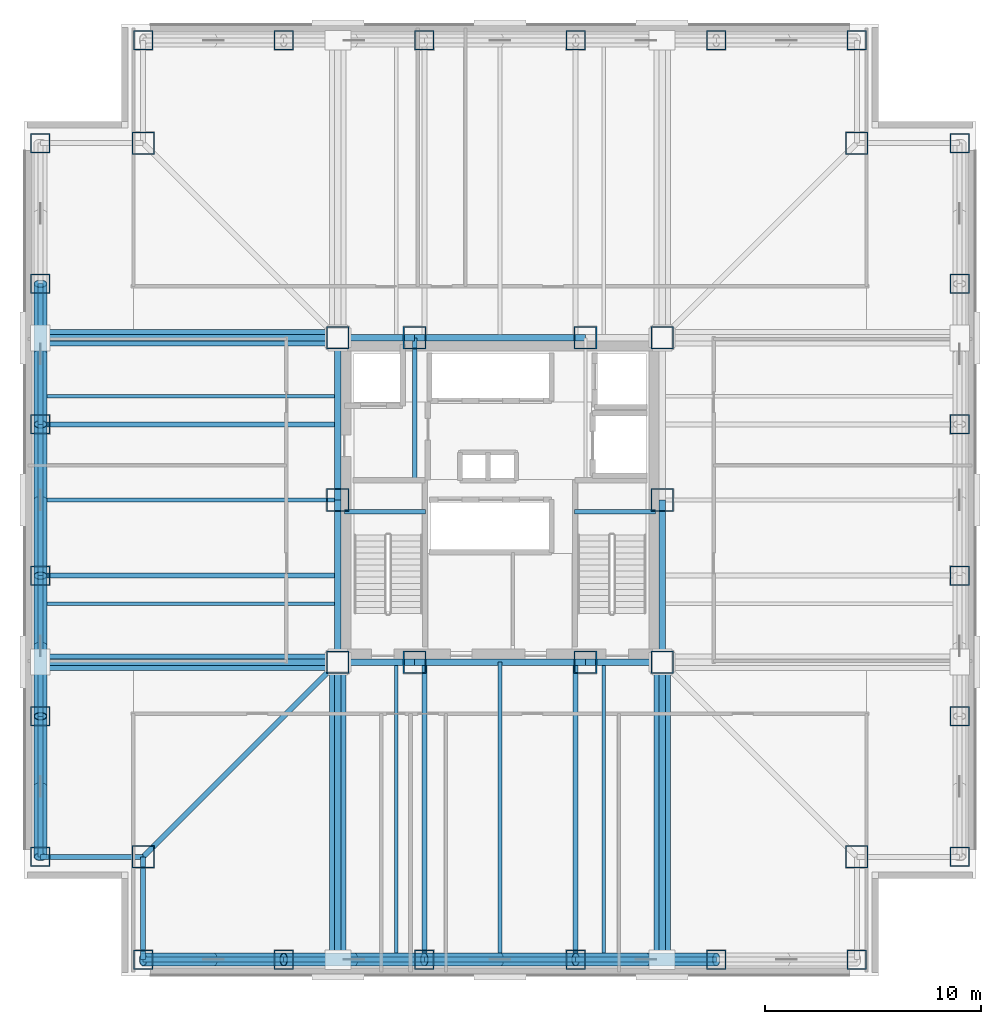
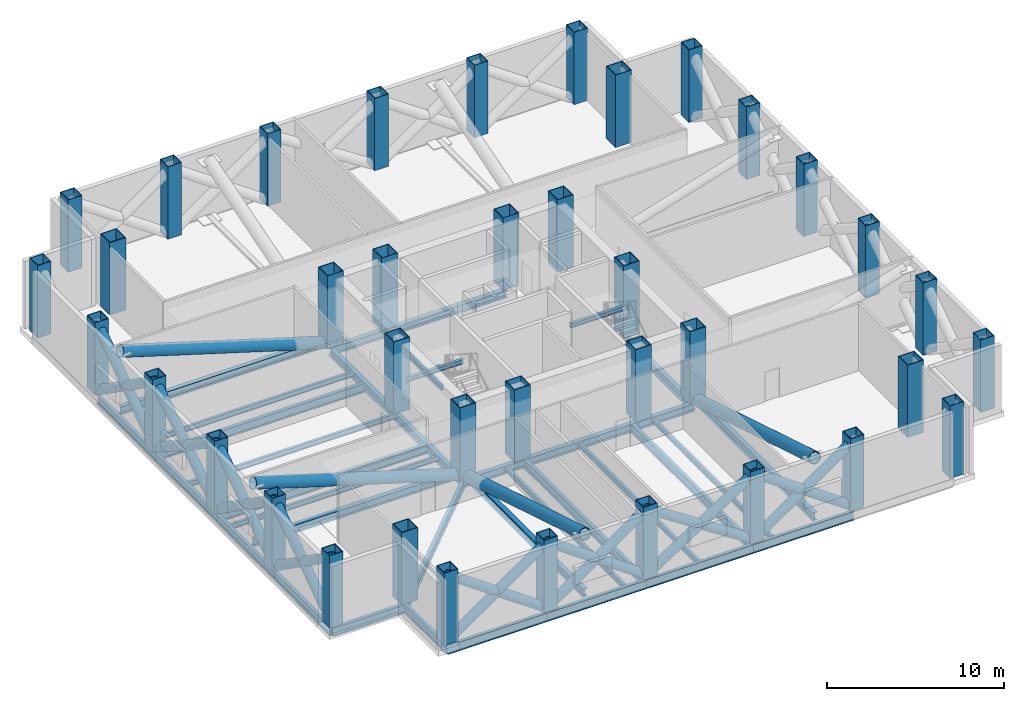
# One storey, part 1 of 8: 38 columns, 32 beams, 32 members.
"""IFC4 building model written with IfcOpenShell, lengths in metres."""

from ifc_helpers import new_model, si_unit, direction, frame, origin, origin_2d, place, context, subcontext, project, spatial, hollow_rectangle, hollow_circle, i_section, extrude, material, material_profile, profile_set, type_object, element, save


model = new_model("IFC4")

# Units and contexts
model_context = context("Model", 3, precision=1e-05, world=origin(), true_north=direction((0.0, 1.0)))
body_context = subcontext(model_context, "Body", "Model", "MODEL_VIEW")
ifc_project = project(units=[si_unit("LENGTHUNIT", "METRE"), si_unit("AREAUNIT", "SQUARE_METRE"), si_unit("VOLUMEUNIT", "CUBIC_METRE"), si_unit("PLANEANGLEUNIT", "RADIAN"), si_unit("MASSUNIT", "GRAM", prefix="KILO")], contexts=[model_context])

# Site, building, storey
site_placement = place(None, origin())
site = spatial("IfcSite", under=ifc_project, at=site_placement, CompositionType="ELEMENT")
building_placement = place(site_placement, origin())
building = spatial("IfcBuilding", under=site, at=building_placement, Name="Trevonay Congress Spire", CompositionType="ELEMENT")
storey_placement = place(building_placement, frame((0.0, 0.0, 155.199951171875)))
storey = spatial("IfcBuildingStorey", under=building, at=storey_placement, Name="L40", CompositionType="ELEMENT", Elevation=155.199951171875)

# Columns
ifc_material = material(Name="Steel ASTM A572 Grade 50", Category="steel")
ifc_material_profile_1 = material_profile(ifc_material, hollow_rectangle(XDim=1.050048828125, YDim=1.050048828125, WallThickness=0.050048828125, at=origin_2d()), Name="BOX 1050x1050x50")
ifc_profile_set_1 = profile_set([ifc_material_profile_1], Name="Steel ASTM A572 Grade 50")
column_type_1 = type_object("IfcColumnType", Name="COL-CORE-BOX1050", PredefinedType="COLUMN", material=ifc_profile_set_1)
for number, where, z_axis, x_axis, name in (
    (1, (-7.5, -7.5, 0.0), (0.0, 0.0, 1.0), (1.0, 0.0, 0.0), "L40 column C03 at CC-SW"),
    (2, (-3.949951171875, -7.5, 0.0), (0.0, 0.0, 1.0), (1.0, 0.0, 0.0), "L40 column C03 at CC-SMW"),
    (3, (3.949951171875, -7.5, 0.0), (0.0, 0.0, 1.0), (1.0, 0.0, 0.0), "L40 column C03 at CC-SME"),
    (4, (7.5, -7.5, 0.0), (0.0, 0.0, 1.0), (1.0, 0.0, 0.0), "L40 column C03 at CC-SE"),
    (5, (7.5, 0.0, 0.0), (0.0, 0.0, 1.0), (1.0, 0.0, 0.0), "L40 column C03 at CC-E"),
    (6, (7.5, 7.5, 0.0), (0.0, 0.0, 1.0), (1.0, 0.0, 0.0), "L40 column C03 at CC-NE"),
    (7, (3.949951171875, 7.5, 0.0), (0.0, 0.0, 1.0), (1.0, 0.0, 0.0), "L40 column C03 at CC-NME"),
    (8, (-3.949951171875, 7.5, 0.0), (0.0, 0.0, 1.0), (1.0, 0.0, 0.0), "L40 column C03 at CC-NMW"),
    (9, (-7.5, 7.5, 0.0), (0.0, 0.0, 1.0), (1.0, 0.0, 0.0), "L40 column C03 at CC-NW"),
    (10, (-7.5, 0.0, 0.0), (0.0, 0.0, 1.0), (1.0, 0.0, 0.0), "L40 column C03 at CC-W"),
):
    element("IfcColumn", number, at=place(storey_placement, frame(where, z_axis=z_axis, x_axis=x_axis)), inside=storey, type_object=column_type_1, Name=name, PredefinedType="COLUMN", context=body_context, shape_type="SweptSolid", body=[
        extrude(hollow_rectangle(XDim=1.050048828125, YDim=1.050048828125, WallThickness=0.050048828125, at=origin_2d()), origin(), (0.0, 0.0, 1.0), 5.0),
    ])
ifc_material_profile_2 = material_profile(ifc_material, hollow_rectangle(XDim=1.050048828125, YDim=1.050048828125, WallThickness=0.050048828125, at=origin_2d()), Name="BOX 1050x1050x50")
ifc_profile_set_2 = profile_set([ifc_material_profile_2], Name="Steel ASTM A572 Grade 50")
column_type_2 = type_object("IfcColumnType", Name="COL-TUBE-BOX1050", PredefinedType="COLUMN", material=ifc_profile_set_2)
for number, where, z_axis, x_axis, name in (
    (11, (-16.5, -16.5, 0.0), (0.0, 0.0, 1.0), (1.0, 0.0, 0.0), "L40 column C14 at NC-SW"),
    (12, (16.5, -16.5, 0.0), (0.0, 0.0, 1.0), (1.0, 0.0, 0.0), "L40 column C14 at NC-SE"),
    (13, (16.5, 16.5, 0.0), (0.0, 0.0, 1.0), (1.0, 0.0, 0.0), "L40 column C14 at NC-NE"),
    (14, (-16.5, 16.5, 0.0), (0.0, 0.0, 1.0), (1.0, 0.0, 0.0), "L40 column C14 at NC-NW"),
):
    element("IfcColumn", number, at=place(storey_placement, frame(where, z_axis=z_axis, x_axis=x_axis)), inside=storey, type_object=column_type_2, Name=name, PredefinedType="COLUMN", context=body_context, shape_type="SweptSolid", body=[
        extrude(hollow_rectangle(XDim=1.050048828125, YDim=1.050048828125, WallThickness=0.050048828125, at=origin_2d()), origin(), (0.0, 0.0, 1.0), 5.0),
    ])
ifc_material_profile_3 = material_profile(ifc_material, hollow_rectangle(XDim=0.89990234375, YDim=0.89990234375, WallThickness=0.044921875, at=origin_2d()), Name="BOX 900x900x45")
ifc_profile_set_3 = profile_set([ifc_material_profile_3], Name="Steel ASTM A572 Grade 50")
column_type_3 = type_object("IfcColumnType", Name="COL-TUBE-BOX900", PredefinedType="COLUMN", material=ifc_profile_set_3)
for number, where, z_axis, x_axis, name in (
    (15, (-16.5, -21.25, 0.0), (0.0, 0.0, 1.0), (1.0, 0.0, 0.0), "L40 column C15 at TS-1"),
    (16, (-16.5, 21.25, 0.0), (0.0, 0.0, 1.0), (1.0, 0.0, 0.0), "L40 column C15 at TN-1"),
    (17, (-21.25, -16.5, 0.0), (0.0, 0.0, 1.0), (1.0, 0.0, 0.0), "L40 column C15 at TW-1"),
    (18, (21.25, -16.5, 0.0), (0.0, 0.0, 1.0), (1.0, 0.0, 0.0), "L40 column C15 at TE-1"),
    (19, (-10.0, -21.25, 0.0), (0.0, 0.0, 1.0), (1.0, 0.0, 0.0), "L40 column C15 at TS-2"),
    (20, (-10.0, 21.25, 0.0), (0.0, 0.0, 1.0), (1.0, 0.0, 0.0), "L40 column C15 at TN-2"),
    (21, (-21.25, -10.0, 0.0), (0.0, 0.0, 1.0), (1.0, 0.0, 0.0), "L40 column C15 at TW-2"),
    (22, (21.25, -10.0, 0.0), (0.0, 0.0, 1.0), (1.0, 0.0, 0.0), "L40 column C15 at TE-2"),
    (23, (-3.5, -21.25, 0.0), (0.0, 0.0, 1.0), (1.0, 0.0, 0.0), "L40 column C15 at TS-3"),
    (24, (-3.5, 21.25, 0.0), (0.0, 0.0, 1.0), (1.0, 0.0, 0.0), "L40 column C15 at TN-3"),
    (25, (-21.25, -3.5, 0.0), (0.0, 0.0, 1.0), (1.0, 0.0, 0.0), "L40 column C15 at TW-3"),
    (26, (21.25, -3.5, 0.0), (0.0, 0.0, 1.0), (1.0, 0.0, 0.0), "L40 column C15 at TE-3"),
    (27, (3.5, -21.25, 0.0), (0.0, 0.0, 1.0), (1.0, 0.0, 0.0), "L40 column C15 at TS-4"),
    (28, (3.5, 21.25, 0.0), (0.0, 0.0, 1.0), (1.0, 0.0, 0.0), "L40 column C15 at TN-4"),
    (29, (-21.25, 3.5, 0.0), (0.0, 0.0, 1.0), (1.0, 0.0, 0.0), "L40 column C15 at TW-4"),
    (30, (21.25, 3.5, 0.0), (0.0, 0.0, 1.0), (1.0, 0.0, 0.0), "L40 column C15 at TE-4"),
    (31, (10.0, -21.25, 0.0), (0.0, 0.0, 1.0), (1.0, 0.0, 0.0), "L40 column C15 at TS-5"),
    (32, (10.0, 21.25, 0.0), (0.0, 0.0, 1.0), (1.0, 0.0, 0.0), "L40 column C15 at TN-5"),
    (33, (-21.25, 10.0, 0.0), (0.0, 0.0, 1.0), (1.0, 0.0, 0.0), "L40 column C15 at TW-5"),
    (34, (21.25, 10.0, 0.0), (0.0, 0.0, 1.0), (1.0, 0.0, 0.0), "L40 column C15 at TE-5"),
    (35, (16.5, -21.25, 0.0), (0.0, 0.0, 1.0), (1.0, 0.0, 0.0), "L40 column C15 at TS-6"),
    (36, (16.5, 21.25, 0.0), (0.0, 0.0, 1.0), (1.0, 0.0, 0.0), "L40 column C15 at TN-6"),
    (37, (-21.25, 16.5, 0.0), (0.0, 0.0, 1.0), (1.0, 0.0, 0.0), "L40 column C15 at TW-6"),
    (38, (21.25, 16.5, 0.0), (0.0, 0.0, 1.0), (1.0, 0.0, 0.0), "L40 column C15 at TE-6"),
):
    element("IfcColumn", number, at=place(storey_placement, frame(where, z_axis=z_axis, x_axis=x_axis)), inside=storey, type_object=column_type_3, Name=name, PredefinedType="COLUMN", context=body_context, shape_type="SweptSolid", body=[
        extrude(hollow_rectangle(XDim=0.89990234375, YDim=0.89990234375, WallThickness=0.044921875, at=origin_2d()), origin(), (0.0, 0.0, 1.0), 5.0),
    ])

# Beams
ifc_material_profile_4 = material_profile(ifc_material, i_section(OverallWidth=0.31201171875, OverallDepth=0.54296875, WebThickness=0.0126953125, FlangeThickness=0.020263671875, FilletRadius=0.014892578125, at=origin_2d()), Name="W530x150")
ifc_profile_set_4 = profile_set([ifc_material_profile_4], Name="Steel ASTM A572 Grade 50")
beam_type_1 = type_object("IfcBeamType", Name="BM-GIRD-W530X150", PredefinedType="BEAM", material=ifc_profile_set_4)
beam_1_placement = place(storey_placement, frame((-7.5, -7.5, -0.621337890625), z_axis=(1.0, 0.0, 0.0), x_axis=(0.0, 1.0, 0.0)))
element("IfcBeam", 39, at=beam_1_placement, inside=storey, type_object=beam_type_1, Name="L40 structural beam BM-L40-CR-S1", PredefinedType="BEAM", context=body_context, shape_type="SweptSolid", body=[
    extrude(i_section(OverallWidth=0.31201171875, OverallDepth=0.54296875, WebThickness=0.0126953125, FlangeThickness=0.020263671875, FilletRadius=0.014892578125, at=origin_2d()), origin(), (0.0, 0.0, 1.0), 3.550048828125),
])
beam_2_placement = place(storey_placement, frame((-3.949951171875, -7.5, -0.621337890625), z_axis=(1.0, 0.0, 0.0), x_axis=(0.0, 1.0, 0.0)))
element("IfcBeam", 40, at=beam_2_placement, inside=storey, type_object=beam_type_1, Name="L40 structural beam BM-L40-CR-S2", PredefinedType="BEAM", context=body_context, shape_type="SweptSolid", body=[
    extrude(i_section(OverallWidth=0.31201171875, OverallDepth=0.54296875, WebThickness=0.0126953125, FlangeThickness=0.020263671875, FilletRadius=0.014892578125, at=origin_2d()), origin(), (0.0, 0.0, 1.0), 7.89990234375),
])
for number, where, z_axis, x_axis, name in (
    (41, (3.949951171875, -7.5, -0.621337890625), (1.0, 0.0, 0.0), (0.0, 1.0, 0.0), "L40 structural beam BM-L40-CR-S3"),
    (42, (-7.5, 7.5, -0.621337890625), (1.0, 0.0, 0.0), (0.0, 1.0, 0.0), "L40 structural beam BM-L40-CR-N1"),
):
    element("IfcBeam", number, at=place(storey_placement, frame(where, z_axis=z_axis, x_axis=x_axis)), inside=storey, type_object=beam_type_1, Name=name, PredefinedType="BEAM", context=body_context, shape_type="SweptSolid", body=[
        extrude(i_section(OverallWidth=0.31201171875, OverallDepth=0.54296875, WebThickness=0.0126953125, FlangeThickness=0.020263671875, FilletRadius=0.014892578125, at=origin_2d()), origin(), (0.0, 0.0, 1.0), 3.550048828125),
    ])
beam_3_placement = place(storey_placement, frame((-3.949951171875, 7.5, -0.621337890625), z_axis=(1.0, 0.0, 0.0), x_axis=(0.0, 1.0, 0.0)))
element("IfcBeam", 43, at=beam_3_placement, inside=storey, type_object=beam_type_1, Name="L40 structural beam BM-L40-CR-N2", PredefinedType="BEAM", context=body_context, shape_type="SweptSolid", body=[
    extrude(i_section(OverallWidth=0.31201171875, OverallDepth=0.54296875, WebThickness=0.0126953125, FlangeThickness=0.020263671875, FilletRadius=0.014892578125, at=origin_2d()), origin(), (0.0, 0.0, 1.0), 7.89990234375),
])
for number, where, z_axis, x_axis, name in (
    (44, (-7.5, -7.5, -0.621337890625), (0.0, 1.0, 0.0), (-1.0, 0.0, 0.0), "L40 structural beam BM-L40-CR-W1"),
    (45, (-7.5, 0.0, -0.621337890625), (0.0, 1.0, 0.0), (-1.0, 0.0, 0.0), "L40 structural beam BM-L40-CR-W2"),
    (46, (7.5, -7.5, -0.621337890625), (0.0, 1.0, 0.0), (-1.0, 0.0, 0.0), "L40 structural beam BM-L40-CR-E1"),
):
    element("IfcBeam", number, at=place(storey_placement, frame(where, z_axis=z_axis, x_axis=x_axis)), inside=storey, type_object=beam_type_1, Name=name, PredefinedType="BEAM", context=body_context, shape_type="SweptSolid", body=[
        extrude(i_section(OverallWidth=0.31201171875, OverallDepth=0.54296875, WebThickness=0.0126953125, FlangeThickness=0.020263671875, FilletRadius=0.014892578125, at=origin_2d()), origin(), (0.0, 0.0, 1.0), 7.5),
    ])
ifc_material_profile_5 = material_profile(ifc_material, i_section(OverallWidth=0.22998046875, OverallDepth=0.616943359375, WebThickness=0.01318359375, FlangeThickness=0.022216796875, FilletRadius=0.01611328125, at=origin_2d()), Name="W610x140")
ifc_profile_set_5 = profile_set([ifc_material_profile_5], Name="Steel ASTM A572 Grade 50")
beam_type_2 = type_object("IfcBeamType", Name="BM-GIRD-W610X140", PredefinedType="BEAM", material=ifc_profile_set_5)
beam_4_placement = place(storey_placement, frame((-7.5, -7.5, -0.658447265625), z_axis=(-0.707106781187, -0.707106781187, 0.0), x_axis=(0.707106781187, -0.707106781187, 0.0)))
element("IfcBeam", 47, at=beam_4_placement, inside=storey, type_object=beam_type_2, Name="L40 structural beam BM-L40-CDSW", PredefinedType="BEAM", context=body_context, shape_type="SweptSolid", body=[
    extrude(i_section(OverallWidth=0.22998046875, OverallDepth=0.616943359375, WebThickness=0.01318359375, FlangeThickness=0.022216796875, FilletRadius=0.01611328125, at=origin_2d()), origin(), (0.0, 0.0, 1.0), 12.72802734375),
])
for number, where, z_axis, x_axis, name in (
    (48, (-3.5, -7.5, -0.658447265625), (0.0, -1.0, 0.0), (1.0, 0.0, 0.0), "L40 structural beam BM-L40-GS-M"),
    (49, (-7.5, -3.5, -0.658447265625), (-1.0, 0.0, 0.0), (0.0, -1.0, 0.0), "L40 structural beam BM-L40-GW-M"),
    (50, (3.5, -7.5, -0.658447265625), (0.0, -1.0, 0.0), (1.0, 0.0, 0.0), "L40 structural beam BM-L40-GS-P"),
    (51, (-7.5, 3.5, -0.658447265625), (-1.0, 0.0, 0.0), (0.0, -1.0, 0.0), "L40 structural beam BM-L40-GW-P"),
):
    element("IfcBeam", number, at=place(storey_placement, frame(where, z_axis=z_axis, x_axis=x_axis)), inside=storey, type_object=beam_type_2, Name=name, PredefinedType="BEAM", context=body_context, shape_type="SweptSolid", body=[
        extrude(i_section(OverallWidth=0.22998046875, OverallDepth=0.616943359375, WebThickness=0.01318359375, FlangeThickness=0.022216796875, FilletRadius=0.01611328125, at=origin_2d()), origin(), (0.0, 0.0, 1.0), 13.75),
    ])
ifc_material_profile_6 = material_profile(ifc_material, i_section(OverallWidth=0.22802734375, OverallDepth=0.60791015625, WebThickness=0.01123046875, FlangeThickness=0.017333984375, FilletRadius=0.01611328125, at=origin_2d()), Name="W610x113")
ifc_profile_set_6 = profile_set([ifc_material_profile_6], Name="Steel ASTM A572 Grade 50")
beam_type_3 = type_object("IfcBeamType", Name="BM-RING-W610X113", PredefinedType="BEAM", material=ifc_profile_set_6)
for number, where, z_axis, x_axis, name in (
    (52, (-16.5, -21.25, -0.654052734375), (1.0, 0.0, 0.0), (0.0, 1.0, 0.0), "L40 structural beam BM-L40-PS1"),
    (53, (-21.25, -16.5, -0.654052734375), (0.0, 1.0, 0.0), (-1.0, 0.0, 0.0), "L40 structural beam BM-L40-PW1"),
    (54, (-10.0, -21.25, -0.654052734375), (1.0, 0.0, 0.0), (0.0, 1.0, 0.0), "L40 structural beam BM-L40-PS2"),
    (55, (-21.25, -10.0, -0.654052734375), (0.0, 1.0, 0.0), (-1.0, 0.0, 0.0), "L40 structural beam BM-L40-PW2"),
):
    element("IfcBeam", number, at=place(storey_placement, frame(where, z_axis=z_axis, x_axis=x_axis)), inside=storey, type_object=beam_type_3, Name=name, PredefinedType="BEAM", context=body_context, shape_type="SweptSolid", body=[
        extrude(i_section(OverallWidth=0.22802734375, OverallDepth=0.60791015625, WebThickness=0.01123046875, FlangeThickness=0.017333984375, FilletRadius=0.01611328125, at=origin_2d()), origin(), (0.0, 0.0, 1.0), 6.5),
    ])
for number, where, z_axis, x_axis, name in (
    (56, (-3.5, -21.25, -0.654052734375), (1.0, 0.0, 0.0), (0.0, 1.0, 0.0), "L40 structural beam BM-L40-PS3"),
    (57, (-21.25, -3.5, -0.654052734375), (0.0, 1.0, 0.0), (-1.0, 0.0, 0.0), "L40 structural beam BM-L40-PW3"),
):
    element("IfcBeam", number, at=place(storey_placement, frame(where, z_axis=z_axis, x_axis=x_axis)), inside=storey, type_object=beam_type_3, Name=name, PredefinedType="BEAM", context=body_context, shape_type="SweptSolid", body=[
        extrude(i_section(OverallWidth=0.22802734375, OverallDepth=0.60791015625, WebThickness=0.01123046875, FlangeThickness=0.017333984375, FilletRadius=0.01611328125, at=origin_2d()), origin(), (0.0, 0.0, 1.0), 7.0),
    ])
for number, where, z_axis, x_axis, name in (
    (58, (3.5, -21.25, -0.654052734375), (1.0, 0.0, 0.0), (0.0, 1.0, 0.0), "L40 structural beam BM-L40-PS4"),
    (59, (-21.25, 3.5, -0.654052734375), (0.0, 1.0, 0.0), (-1.0, 0.0, 0.0), "L40 structural beam BM-L40-PW4"),
):
    element("IfcBeam", number, at=place(storey_placement, frame(where, z_axis=z_axis, x_axis=x_axis)), inside=storey, type_object=beam_type_3, Name=name, PredefinedType="BEAM", context=body_context, shape_type="SweptSolid", body=[
        extrude(i_section(OverallWidth=0.22802734375, OverallDepth=0.60791015625, WebThickness=0.01123046875, FlangeThickness=0.017333984375, FilletRadius=0.01611328125, at=origin_2d()), origin(), (0.0, 0.0, 1.0), 6.5),
    ])
for number, where, z_axis, x_axis, name in (
    (60, (-16.5, -21.25, -0.654052734375), (0.0, 1.0, 0.0), (-1.0, 0.0, 0.0), "L40 structural beam BM-L40-N1SW"),
    (61, (-21.25, -16.5, -0.654052734375), (1.0, 0.0, 0.0), (0.0, 1.0, 0.0), "L40 structural beam BM-L40-N2SW"),
):
    element("IfcBeam", number, at=place(storey_placement, frame(where, z_axis=z_axis, x_axis=x_axis)), inside=storey, type_object=beam_type_3, Name=name, PredefinedType="BEAM", context=body_context, shape_type="SweptSolid", body=[
        extrude(i_section(OverallWidth=0.22802734375, OverallDepth=0.60791015625, WebThickness=0.01123046875, FlangeThickness=0.017333984375, FilletRadius=0.01611328125, at=origin_2d()), origin(), (0.0, 0.0, 1.0), 4.75),
    ])
ifc_material_profile_7 = material_profile(ifc_material, i_section(OverallWidth=0.172119140625, OverallDepth=0.35791015625, WebThickness=0.0078125, FlangeThickness=0.01318359375, FilletRadius=0.011962890625, at=origin_2d()), Name="W360x57.8")
ifc_profile_set_7 = profile_set([ifc_material_profile_7], Name="Steel ASTM A572 Grade 50")
beam_type_4 = type_object("IfcBeamType", Name="JS-COMP-W360X57", PredefinedType="JOIST", material=ifc_profile_set_7)
for number, where, z_axis, x_axis, name in (
    (62, (-4.800048828125, -21.25, -0.529052734375), (0.0, 1.0, 0.0), (-1.0, 0.0, 0.0), "L40 structural beam JS-L40-NS-S1"),
    (63, (-21.25, -4.800048828125, -0.529052734375), (1.0, 0.0, 0.0), (0.0, 1.0, 0.0), "L40 structural beam JS-L40-EW-W1"),
    (64, (0.0, -21.25, -0.529052734375), (0.0, 1.0, 0.0), (-1.0, 0.0, 0.0), "L40 structural beam JS-L40-NS-S2"),
    (65, (-21.25, 0.0, -0.529052734375), (1.0, 0.0, 0.0), (0.0, 1.0, 0.0), "L40 structural beam JS-L40-EW-W2"),
    (66, (4.800048828125, -21.25, -0.529052734375), (0.0, 1.0, 0.0), (-1.0, 0.0, 0.0), "L40 structural beam JS-L40-NS-S3"),
    (67, (-21.25, 4.800048828125, -0.529052734375), (1.0, 0.0, 0.0), (0.0, 1.0, 0.0), "L40 structural beam JS-L40-EW-W3"),
):
    element("IfcBeam", number, at=place(storey_placement, frame(where, z_axis=z_axis, x_axis=x_axis)), inside=storey, type_object=beam_type_4, Name=name, PredefinedType="JOIST", context=body_context, shape_type="SweptSolid", body=[
        extrude(i_section(OverallWidth=0.172119140625, OverallDepth=0.35791015625, WebThickness=0.0078125, FlangeThickness=0.01318359375, FilletRadius=0.011962890625, at=origin_2d()), origin(), (0.0, 0.0, 1.0), 13.75),
    ])
ifc_material_profile_8 = material_profile(ifc_material, i_section(OverallWidth=0.2041015625, OverallDepth=0.305908203125, WebThickness=0.008544921875, FlangeThickness=0.0146484375, FilletRadius=0.010986328125, at=origin_2d()), Name="W310x67")
ifc_profile_set_8 = profile_set([ifc_material_profile_8], Name="Steel ASTM A572 Grade 50")
beam_type_5 = type_object("IfcBeamType", Name="LN-CORE-W310X67", PredefinedType="LINTEL", material=ifc_profile_set_8)
beam_5_placement = place(storey_placement, frame((-3.949951171875, 1.0, -0.5029296875), z_axis=(0.0, 1.0, 0.0), x_axis=(-1.0, 0.0, 0.0)))
element("IfcBeam", 68, at=beam_5_placement, inside=storey, type_object=beam_type_5, Name="L40 structural beam LIN-L40-W", PredefinedType="LINTEL", context=body_context, shape_type="SweptSolid", body=[
    extrude(i_section(OverallWidth=0.2041015625, OverallDepth=0.305908203125, WebThickness=0.008544921875, FlangeThickness=0.0146484375, FilletRadius=0.010986328125, at=origin_2d()), origin(), (0.0, 0.0, 1.0), 6.5),
])
for number, where, z_axis, x_axis, name in (
    (69, (-7.199951171875, -0.550048828125, 2.14697265625), (1.0, 0.0, 0.0), (0.0, 1.0, 0.0), "L40 structural beam BM-L40-HL-ST1"),
    (70, (3.449951171875, -0.550048828125, 2.14697265625), (1.0, 0.0, 0.0), (0.0, 1.0, 0.0), "L40 structural beam BM-L40-HL-ST2"),
):
    element("IfcBeam", number, at=place(storey_placement, frame(where, z_axis=z_axis, x_axis=x_axis)), inside=storey, type_object=beam_type_5, Name=name, PredefinedType="LINTEL", context=body_context, shape_type="SweptSolid", body=[
        extrude(i_section(OverallWidth=0.2041015625, OverallDepth=0.305908203125, WebThickness=0.008544921875, FlangeThickness=0.0146484375, FilletRadius=0.010986328125, at=origin_2d()), origin(), (0.0, 0.0, 1.0), 3.75),
    ])

# Members
ifc_material_profile_9 = material_profile(ifc_material, i_section(OverallWidth=0.31201171875, OverallDepth=0.54296875, WebThickness=0.0126953125, FlangeThickness=0.020263671875, FilletRadius=0.014892578125, at=origin_2d()), Name="W530x150")
ifc_profile_set_9 = profile_set([ifc_material_profile_9], Name="Steel ASTM A572 Grade 50")
member_type_1 = type_object("IfcMemberType", Name="MBR-CHORD-HSS500", PredefinedType="CHORD", material=ifc_profile_set_9)
for number, where, z_axis, x_axis, name in (
    (71, (-7.5, -7.5, 0.10009765625), (0.0, -1.0, 0.0), (1.0, 0.0, 0.0), "L40 outrigger bottom chord OS-W"),
    (72, (7.5, -7.5, 0.10009765625), (0.0, -1.0, 0.0), (1.0, 0.0, 0.0), "L40 outrigger bottom chord OS-E"),
    (73, (-7.5, -7.5, 0.10009765625), (-1.0, 0.0, 0.0), (0.0, -1.0, 0.0), "L40 outrigger bottom chord OW-S"),
    (74, (-7.5, 7.5, 0.10009765625), (-1.0, 0.0, 0.0), (0.0, -1.0, 0.0), "L40 outrigger bottom chord OW-N"),
):
    element("IfcMember", number, at=place(storey_placement, frame(where, z_axis=z_axis, x_axis=x_axis)), inside=storey, type_object=member_type_1, Name=name, PredefinedType="CHORD", context=body_context, shape_type="SweptSolid", body=[
        extrude(i_section(OverallWidth=0.31201171875, OverallDepth=0.54296875, WebThickness=0.0126953125, FlangeThickness=0.020263671875, FilletRadius=0.014892578125, at=origin_2d()), origin(), (0.0, 0.0, 1.0), 13.75),
    ])
ifc_material_profile_10 = material_profile(ifc_material, hollow_circle(Radius=0.381103515625, WallThickness=0.0400390625, at=origin_2d()), Name="CHS 762x40")
ifc_profile_set_10 = profile_set([ifc_material_profile_10], Name="Steel ASTM A572 Grade 50")
member_type_2 = type_object("IfcMemberType", Name="MBR-OUTRIG-CHS762", PredefinedType="BRACE", material=ifc_profile_set_10)
for number, where, z_axis, x_axis, name in (
    (75, (-7.5, -7.5, -0.050048828125), (0.0, -0.956374768731, 0.292142605136), (1.0, 0.0, 0.0), "L40 outrigger diagonal OS-W"),
    (76, (7.5, -7.5, -0.050048828125), (0.0, -0.956374768731, 0.292142605136), (1.0, 0.0, 0.0), "L40 outrigger diagonal OS-E"),
    (77, (-7.5, -7.5, -0.050048828125), (-0.956374768731, 0.0, 0.292142605136), (0.0, -1.0, 0.0), "L40 outrigger diagonal OW-S"),
    (78, (-7.5, 7.5, -0.050048828125), (-0.956374768731, 0.0, 0.292142605136), (0.0, -1.0, 0.0), "L40 outrigger diagonal OW-N"),
):
    element("IfcMember", number, at=place(storey_placement, frame(where, z_axis=z_axis, x_axis=x_axis)), inside=storey, type_object=member_type_2, Name=name, PredefinedType="BRACE", context=body_context, shape_type="SweptSolid", body=[
        extrude(hollow_circle(Radius=0.381103515625, WallThickness=0.0400390625, at=origin_2d()), origin(), (0.0, 0.0, 1.0), 14.377197265625),
    ])
ifc_material_profile_11 = material_profile(ifc_material, hollow_circle(Radius=0.304931640625, WallThickness=0.031982421875, at=origin_2d()), Name="CHS 610x32")
ifc_profile_set_11 = profile_set([ifc_material_profile_11], Name="Steel ASTM A572 Grade 50")
member_type_3 = type_object("IfcMemberType", Name="MBR-TUBE-CHS610", PredefinedType="BRACE", material=ifc_profile_set_11)
member_1_placement = place(storey_placement, frame((-16.5, -21.25, -0.050048828125), z_axis=(0.819229029338, 0.0, 0.5734664746), x_axis=(0.0, 1.0, 0.0)))
element("IfcMember", 79, at=member_1_placement, inside=storey, type_object=member_type_3, Name="L40 continuous belt truss diagonal S0-1", PredefinedType="BRACE", context=body_context, shape_type="SweptSolid", body=[
    extrude(hollow_circle(Radius=0.304931640625, WallThickness=0.031982421875, at=origin_2d()), origin(), (0.0, 0.0, 1.0), 7.934326171875),
])
member_2_placement = place(storey_placement, frame((-16.5, -21.25, 4.5), z_axis=(0.819243485241, 0.0, -0.573445822977), x_axis=(0.0, 1.0, 0.0)))
element("IfcMember", 80, at=member_2_placement, inside=storey, type_object=member_type_3, Name="L40 split belt truss diagonal segment S0-2A", PredefinedType="BRACE", context=body_context, shape_type="SweptSolid", body=[
    extrude(hollow_circle(Radius=0.304931640625, WallThickness=0.031982421875, at=origin_2d()), origin(), (0.0, 0.0, 1.0), 3.967041015625),
])
member_3_placement = place(storey_placement, frame((-13.25, -21.25, 2.22509765625), z_axis=(0.819214573424, 0.0, -0.57348712513), x_axis=(0.0, 1.0, 0.0)))
element("IfcMember", 81, at=member_3_placement, inside=storey, type_object=member_type_3, Name="L40 split belt truss diagonal segment S0-2B", PredefinedType="BRACE", context=body_context, shape_type="SweptSolid", body=[
    extrude(hollow_circle(Radius=0.304931640625, WallThickness=0.031982421875, at=origin_2d()), origin(), (0.0, 0.0, 1.0), 3.96728515625),
])
member_4_placement = place(storey_placement, frame((-10.0, -21.25, -0.050048828125), z_axis=(0.819229029338, 0.0, 0.5734664746), x_axis=(0.0, 1.0, 0.0)))
element("IfcMember", 82, at=member_4_placement, inside=storey, type_object=member_type_3, Name="L40 continuous belt truss diagonal S1-1", PredefinedType="BRACE", context=body_context, shape_type="SweptSolid", body=[
    extrude(hollow_circle(Radius=0.304931640625, WallThickness=0.031982421875, at=origin_2d()), origin(), (0.0, 0.0, 1.0), 7.934326171875),
])
member_5_placement = place(storey_placement, frame((-10.0, -21.25, 4.5), z_axis=(0.819243485241, 0.0, -0.573445822977), x_axis=(0.0, 1.0, 0.0)))
element("IfcMember", 83, at=member_5_placement, inside=storey, type_object=member_type_3, Name="L40 split belt truss diagonal segment S1-2A", PredefinedType="BRACE", context=body_context, shape_type="SweptSolid", body=[
    extrude(hollow_circle(Radius=0.304931640625, WallThickness=0.031982421875, at=origin_2d()), origin(), (0.0, 0.0, 1.0), 3.967041015625),
])
member_6_placement = place(storey_placement, frame((-6.75, -21.25, 2.22509765625), z_axis=(0.819214573424, 0.0, -0.57348712513), x_axis=(0.0, 1.0, 0.0)))
element("IfcMember", 84, at=member_6_placement, inside=storey, type_object=member_type_3, Name="L40 split belt truss diagonal segment S1-2B", PredefinedType="BRACE", context=body_context, shape_type="SweptSolid", body=[
    extrude(hollow_circle(Radius=0.304931640625, WallThickness=0.031982421875, at=origin_2d()), origin(), (0.0, 0.0, 1.0), 3.96728515625),
])
member_7_placement = place(storey_placement, frame((-3.5, -21.25, -0.050048828125), z_axis=(0.838440943865, 0.0, 0.544992462012), x_axis=(0.0, 1.0, 0.0)))
element("IfcMember", 85, at=member_7_placement, inside=storey, type_object=member_type_3, Name="L40 continuous belt truss diagonal S2-1", PredefinedType="BRACE", context=body_context, shape_type="SweptSolid", body=[
    extrude(hollow_circle(Radius=0.304931640625, WallThickness=0.031982421875, at=origin_2d()), origin(), (0.0, 0.0, 1.0), 8.348876953125),
])
member_8_placement = place(storey_placement, frame((-3.5, -21.25, 4.5), z_axis=(0.838454306011, 0.0, -0.544971904535), x_axis=(0.0, 1.0, 0.0)))
element("IfcMember", 86, at=member_8_placement, inside=storey, type_object=member_type_3, Name="L40 split belt truss diagonal segment S2-2A", PredefinedType="BRACE", context=body_context, shape_type="SweptSolid", body=[
    extrude(hollow_circle(Radius=0.304931640625, WallThickness=0.031982421875, at=origin_2d()), origin(), (0.0, 0.0, 1.0), 4.17431640625),
])
member_9_placement = place(storey_placement, frame((0.0, -21.25, 2.22509765625), z_axis=(0.838427581642, 0.0, -0.545013018507), x_axis=(0.0, 1.0, 0.0)))
element("IfcMember", 87, at=member_9_placement, inside=storey, type_object=member_type_3, Name="L40 split belt truss diagonal segment S2-2B", PredefinedType="BRACE", context=body_context, shape_type="SweptSolid", body=[
    extrude(hollow_circle(Radius=0.304931640625, WallThickness=0.031982421875, at=origin_2d()), origin(), (0.0, 0.0, 1.0), 4.174560546875),
])
member_10_placement = place(storey_placement, frame((3.5, -21.25, -0.050048828125), z_axis=(0.819229029338, 0.0, 0.5734664746), x_axis=(0.0, 1.0, 0.0)))
element("IfcMember", 88, at=member_10_placement, inside=storey, type_object=member_type_3, Name="L40 continuous belt truss diagonal S3-1", PredefinedType="BRACE", context=body_context, shape_type="SweptSolid", body=[
    extrude(hollow_circle(Radius=0.304931640625, WallThickness=0.031982421875, at=origin_2d()), origin(), (0.0, 0.0, 1.0), 7.934326171875),
])
member_11_placement = place(storey_placement, frame((3.5, -21.25, 4.5), z_axis=(0.819243485241, 0.0, -0.573445822977), x_axis=(0.0, 1.0, 0.0)))
element("IfcMember", 89, at=member_11_placement, inside=storey, type_object=member_type_3, Name="L40 split belt truss diagonal segment S3-2A", PredefinedType="BRACE", context=body_context, shape_type="SweptSolid", body=[
    extrude(hollow_circle(Radius=0.304931640625, WallThickness=0.031982421875, at=origin_2d()), origin(), (0.0, 0.0, 1.0), 3.967041015625),
])
member_12_placement = place(storey_placement, frame((6.75, -21.25, 2.22509765625), z_axis=(0.819214573424, 0.0, -0.57348712513), x_axis=(0.0, 1.0, 0.0)))
element("IfcMember", 90, at=member_12_placement, inside=storey, type_object=member_type_3, Name="L40 split belt truss diagonal segment S3-2B", PredefinedType="BRACE", context=body_context, shape_type="SweptSolid", body=[
    extrude(hollow_circle(Radius=0.304931640625, WallThickness=0.031982421875, at=origin_2d()), origin(), (0.0, 0.0, 1.0), 3.96728515625),
])
member_13_placement = place(storey_placement, frame((-21.25, -16.5, -0.050048828125), z_axis=(0.0, 0.819229029338, 0.5734664746), x_axis=(-1.0, 0.0, 0.0)))
element("IfcMember", 91, at=member_13_placement, inside=storey, type_object=member_type_3, Name="L40 continuous belt truss diagonal W0-1", PredefinedType="BRACE", context=body_context, shape_type="SweptSolid", body=[
    extrude(hollow_circle(Radius=0.304931640625, WallThickness=0.031982421875, at=origin_2d()), origin(), (0.0, 0.0, 1.0), 7.934326171875),
])
member_14_placement = place(storey_placement, frame((-21.25, -16.5, 4.5), z_axis=(0.0, 0.819243485241, -0.573445822977), x_axis=(-1.0, 0.0, 0.0)))
element("IfcMember", 92, at=member_14_placement, inside=storey, type_object=member_type_3, Name="L40 split belt truss diagonal segment W0-2A", PredefinedType="BRACE", context=body_context, shape_type="SweptSolid", body=[
    extrude(hollow_circle(Radius=0.304931640625, WallThickness=0.031982421875, at=origin_2d()), origin(), (0.0, 0.0, 1.0), 3.967041015625),
])
member_15_placement = place(storey_placement, frame((-21.25, -13.25, 2.22509765625), z_axis=(0.0, 0.819214573424, -0.57348712513), x_axis=(-1.0, 0.0, 0.0)))
element("IfcMember", 93, at=member_15_placement, inside=storey, type_object=member_type_3, Name="L40 split belt truss diagonal segment W0-2B", PredefinedType="BRACE", context=body_context, shape_type="SweptSolid", body=[
    extrude(hollow_circle(Radius=0.304931640625, WallThickness=0.031982421875, at=origin_2d()), origin(), (0.0, 0.0, 1.0), 3.96728515625),
])
member_16_placement = place(storey_placement, frame((-21.25, -10.0, -0.050048828125), z_axis=(0.0, 0.819229029338, 0.5734664746), x_axis=(-1.0, 0.0, 0.0)))
element("IfcMember", 94, at=member_16_placement, inside=storey, type_object=member_type_3, Name="L40 continuous belt truss diagonal W1-1", PredefinedType="BRACE", context=body_context, shape_type="SweptSolid", body=[
    extrude(hollow_circle(Radius=0.304931640625, WallThickness=0.031982421875, at=origin_2d()), origin(), (0.0, 0.0, 1.0), 7.934326171875),
])
member_17_placement = place(storey_placement, frame((-21.25, -10.0, 4.5), z_axis=(0.0, 0.819243485241, -0.573445822977), x_axis=(-1.0, 0.0, 0.0)))
element("IfcMember", 95, at=member_17_placement, inside=storey, type_object=member_type_3, Name="L40 split belt truss diagonal segment W1-2A", PredefinedType="BRACE", context=body_context, shape_type="SweptSolid", body=[
    extrude(hollow_circle(Radius=0.304931640625, WallThickness=0.031982421875, at=origin_2d()), origin(), (0.0, 0.0, 1.0), 3.967041015625),
])
member_18_placement = place(storey_placement, frame((-21.25, -6.75, 2.22509765625), z_axis=(0.0, 0.819214573424, -0.57348712513), x_axis=(-1.0, 0.0, 0.0)))
element("IfcMember", 96, at=member_18_placement, inside=storey, type_object=member_type_3, Name="L40 split belt truss diagonal segment W1-2B", PredefinedType="BRACE", context=body_context, shape_type="SweptSolid", body=[
    extrude(hollow_circle(Radius=0.304931640625, WallThickness=0.031982421875, at=origin_2d()), origin(), (0.0, 0.0, 1.0), 3.96728515625),
])
member_19_placement = place(storey_placement, frame((-21.25, -3.5, -0.050048828125), z_axis=(0.0, 0.838440943865, 0.544992462012), x_axis=(-1.0, 0.0, 0.0)))
element("IfcMember", 97, at=member_19_placement, inside=storey, type_object=member_type_3, Name="L40 continuous belt truss diagonal W2-1", PredefinedType="BRACE", context=body_context, shape_type="SweptSolid", body=[
    extrude(hollow_circle(Radius=0.304931640625, WallThickness=0.031982421875, at=origin_2d()), origin(), (0.0, 0.0, 1.0), 8.348876953125),
])
member_20_placement = place(storey_placement, frame((-21.25, -3.5, 4.5), z_axis=(0.0, 0.838454306011, -0.544971904535), x_axis=(-1.0, 0.0, 0.0)))
element("IfcMember", 98, at=member_20_placement, inside=storey, type_object=member_type_3, Name="L40 split belt truss diagonal segment W2-2A", PredefinedType="BRACE", context=body_context, shape_type="SweptSolid", body=[
    extrude(hollow_circle(Radius=0.304931640625, WallThickness=0.031982421875, at=origin_2d()), origin(), (0.0, 0.0, 1.0), 4.17431640625),
])
member_21_placement = place(storey_placement, frame((-21.25, 0.0, 2.22509765625), z_axis=(0.0, 0.838427581642, -0.545013018507), x_axis=(-1.0, 0.0, 0.0)))
element("IfcMember", 99, at=member_21_placement, inside=storey, type_object=member_type_3, Name="L40 split belt truss diagonal segment W2-2B", PredefinedType="BRACE", context=body_context, shape_type="SweptSolid", body=[
    extrude(hollow_circle(Radius=0.304931640625, WallThickness=0.031982421875, at=origin_2d()), origin(), (0.0, 0.0, 1.0), 4.174560546875),
])
member_22_placement = place(storey_placement, frame((-21.25, 3.5, -0.050048828125), z_axis=(0.0, 0.819229029338, 0.5734664746), x_axis=(-1.0, 0.0, 0.0)))
element("IfcMember", 100, at=member_22_placement, inside=storey, type_object=member_type_3, Name="L40 continuous belt truss diagonal W3-1", PredefinedType="BRACE", context=body_context, shape_type="SweptSolid", body=[
    extrude(hollow_circle(Radius=0.304931640625, WallThickness=0.031982421875, at=origin_2d()), origin(), (0.0, 0.0, 1.0), 7.934326171875),
])
member_23_placement = place(storey_placement, frame((-21.25, 3.5, 4.5), z_axis=(0.0, 0.819243485241, -0.573445822977), x_axis=(-1.0, 0.0, 0.0)))
element("IfcMember", 101, at=member_23_placement, inside=storey, type_object=member_type_3, Name="L40 split belt truss diagonal segment W3-2A", PredefinedType="BRACE", context=body_context, shape_type="SweptSolid", body=[
    extrude(hollow_circle(Radius=0.304931640625, WallThickness=0.031982421875, at=origin_2d()), origin(), (0.0, 0.0, 1.0), 3.967041015625),
])
member_24_placement = place(storey_placement, frame((-21.25, 6.75, 2.22509765625), z_axis=(0.0, 0.819214573424, -0.57348712513), x_axis=(-1.0, 0.0, 0.0)))
element("IfcMember", 102, at=member_24_placement, inside=storey, type_object=member_type_3, Name="L40 split belt truss diagonal segment W3-2B", PredefinedType="BRACE", context=body_context, shape_type="SweptSolid", body=[
    extrude(hollow_circle(Radius=0.304931640625, WallThickness=0.031982421875, at=origin_2d()), origin(), (0.0, 0.0, 1.0), 3.96728515625),
])

save(model, "model.ifc")
